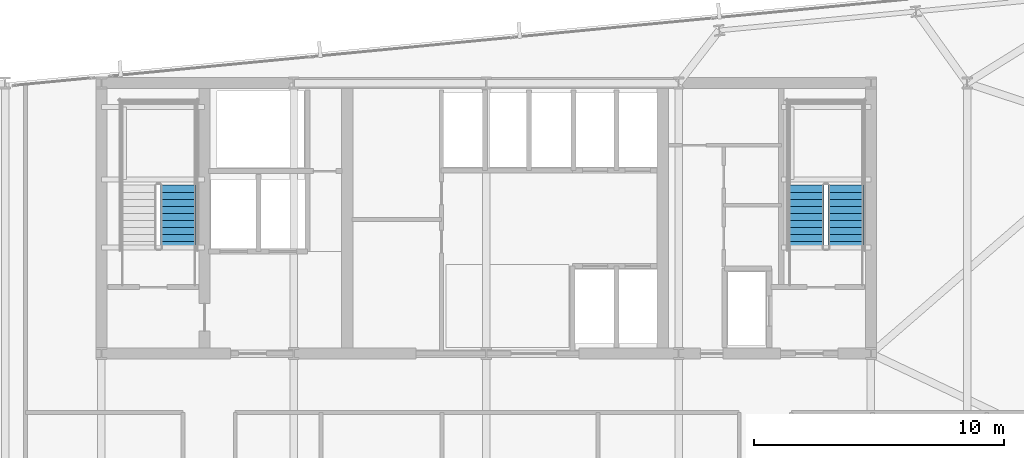
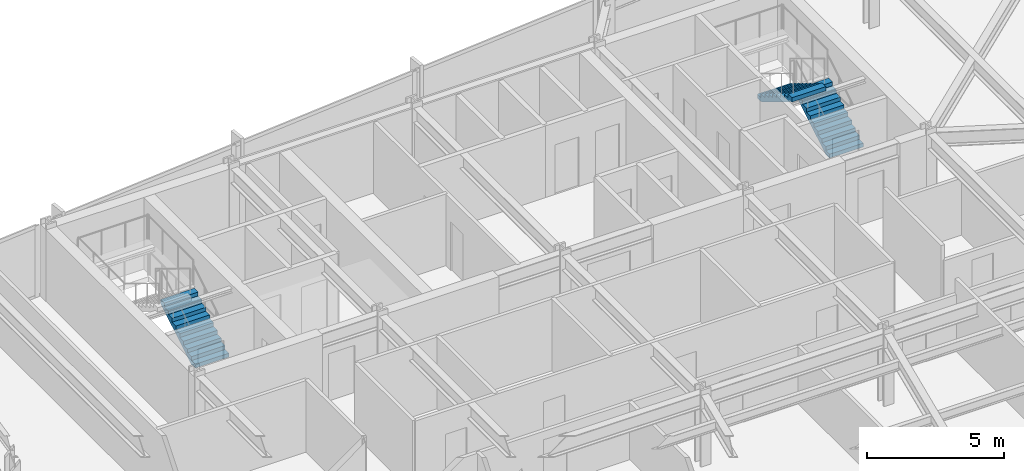
# One storey, part 27 of 33: 3 stair flights, 2 elements without a shape of their own.
"""IFC4 building model written with IfcOpenShell, lengths in metres."""

from ifc_helpers import new_model, si_unit, direction, frame, origin, place, context, subcontext, project, spatial, polyline, outline, extrude, material, type_object, element, aggregate, save


model = new_model("IFC4")

# Units and contexts
model_context = context("Model", 3, precision=1e-05, world=origin(), true_north=direction((0.0, 1.0)))
body_context = subcontext(model_context, "Body", "Model", "MODEL_VIEW")
ifc_project = project(units=[si_unit("LENGTHUNIT", "METRE"), si_unit("AREAUNIT", "SQUARE_METRE"), si_unit("VOLUMEUNIT", "CUBIC_METRE"), si_unit("PLANEANGLEUNIT", "RADIAN"), si_unit("MASSUNIT", "GRAM", prefix="KILO")], contexts=[model_context])

# Site, building, storey
site_placement = place(None, origin())
site = spatial("IfcSite", under=ifc_project, at=site_placement, CompositionType="ELEMENT")
building_placement = place(site_placement, origin())
building = spatial("IfcBuilding", under=site, at=building_placement, Name="Yelkora Congress Tower", CompositionType="ELEMENT")
storey_placement = place(building_placement, frame((0.0, 0.0, 106.699951171875)))
storey = spatial("IfcBuildingStorey", under=building, at=storey_placement, Name="L28", CompositionType="ELEMENT", Elevation=106.699951171875)

# Stair, stair flight
ifc_material = material(Name="Concrete C40/50", Category="concrete")
stair_type = type_object("IfcStairType", Name="STAIR-HT-1420-R20-170", PredefinedType="HALF_TURN_STAIR", material=ifc_material)
stair_1_placement = place(storey_placement, origin())
stair_1 = element("IfcStair", 1, at=stair_1_placement, inside=storey, type_object=stair_type, Name="West Core Protected Exit Stair ST-01 (L28)", PredefinedType="HALF_TURN_STAIR")
stair_flight_type = type_object("IfcStairFlightType", Name="FLIGHT-1420-N10-R170-G280", PredefinedType="STRAIGHT", material=ifc_material)
stair_flight_1_placement = place(storey_placement, frame((26.110107421875, 39.60009765625, 0.0), z_axis=(0.0, 0.0, 1.0), x_axis=(0.0, 1.0, 0.0)))
stair_flight_1 = element("IfcStairFlight", 2, at=stair_flight_1_placement, type_object=stair_flight_type, Name="ST-01 L28 Flight 1", NumberOfRisers=10, NumberOfTreads=9, PredefinedType="STRAIGHT", RiserHeight=0.17, TreadLength=0.28, context=body_context, shape_type="SweptSolid", body=[
    extrude(outline(polyline([(0.0, 0.0), (0.0, 0.169921875), (0.280029296875, 0.169921875), (0.280029296875, 0.340087890625), (0.56005859375, 0.340087890625), (0.56005859375, 0.510009765625), (0.840087890625, 0.510009765625), (0.840087890625, 0.679931640625), (1.1201171875, 0.679931640625), (1.1201171875, 0.85009765625), (1.39990234375, 0.85009765625), (1.39990234375, 1.02001953125), (1.679931640625, 1.02001953125), (1.679931640625, 1.18994140625), (1.9599609375, 1.18994140625), (1.9599609375, 1.360107421875), (2.239990234375, 1.360107421875), (2.239990234375, 1.530029296875), (2.52001953125, 1.530029296875), (2.52001953125, 1.699951171875), (2.52001953125, 1.343017578125), (0.30810546875, 0.0), (0.0, 0.0)])), frame((0.0, 0.7099609375, 0.0), z_axis=(0.0, -1.0, 0.0), x_axis=(1.0, 0.0, 0.0)), (0.0, 0.0, 1.0), 1.419921875),
])
aggregate(stair_1, [stair_flight_1])

# Stair, stair flights
stair_2_placement = place(storey_placement, origin())
stair_2 = element("IfcStair", 3, at=stair_2_placement, inside=storey, type_object=stair_type, Name="East Core Protected Exit Stair ST-02 (L28)", PredefinedType="HALF_TURN_STAIR")
stair_flight_2_placement = place(storey_placement, frame((52.75, 39.60009765625, 0.0), z_axis=(0.0, 0.0, 1.0), x_axis=(0.0, 1.0, 0.0)))
stair_flight_2 = element("IfcStairFlight", 4, at=stair_flight_2_placement, type_object=stair_flight_type, Name="ST-02 L28 Flight 1", NumberOfRisers=10, NumberOfTreads=9, PredefinedType="STRAIGHT", RiserHeight=0.17, TreadLength=0.28, context=body_context, shape_type="SweptSolid", body=[
    extrude(outline(polyline([(0.0, 0.0), (0.0, 0.169921875), (0.280029296875, 0.169921875), (0.280029296875, 0.340087890625), (0.56005859375, 0.340087890625), (0.56005859375, 0.510009765625), (0.840087890625, 0.510009765625), (0.840087890625, 0.679931640625), (1.1201171875, 0.679931640625), (1.1201171875, 0.85009765625), (1.39990234375, 0.85009765625), (1.39990234375, 1.02001953125), (1.679931640625, 1.02001953125), (1.679931640625, 1.18994140625), (1.9599609375, 1.18994140625), (1.9599609375, 1.360107421875), (2.239990234375, 1.360107421875), (2.239990234375, 1.530029296875), (2.52001953125, 1.530029296875), (2.52001953125, 1.699951171875), (2.52001953125, 1.343017578125), (0.30810546875, 0.0), (0.0, 0.0)])), frame((0.0, 0.7099609375, 0.0), z_axis=(0.0, -1.0, 0.0), x_axis=(1.0, 0.0, 0.0)), (0.0, 0.0, 1.0), 1.419921875),
])
stair_flight_3_placement = place(storey_placement, frame((51.169921875, 42.1201171875, 1.699951171875), z_axis=(0.0, 0.0, 1.0), x_axis=(0.0, -1.0, 0.0)))
stair_flight_3 = element("IfcStairFlight", 5, at=stair_flight_3_placement, type_object=stair_flight_type, Name="ST-02 L28 Flight 2", NumberOfRisers=10, NumberOfTreads=9, PredefinedType="STRAIGHT", RiserHeight=0.17, TreadLength=0.28, context=body_context, shape_type="SweptSolid", body=[
    extrude(outline(polyline([(0.0, 0.0), (0.0, 0.169921875), (0.280029296875, 0.169921875), (0.280029296875, 0.340087890625), (0.56005859375, 0.340087890625), (0.56005859375, 0.510009765625), (0.840087890625, 0.510009765625), (0.840087890625, 0.679931640625), (1.1201171875, 0.679931640625), (1.1201171875, 0.85009765625), (1.39990234375, 0.85009765625), (1.39990234375, 1.02001953125), (1.679931640625, 1.02001953125), (1.679931640625, 1.18994140625), (1.9599609375, 1.18994140625), (1.9599609375, 1.360107421875), (2.239990234375, 1.360107421875), (2.239990234375, 1.530029296875), (2.52001953125, 1.530029296875), (2.52001953125, 1.699951171875), (2.52001953125, 1.343017578125), (0.30810546875, 0.0), (0.0, 0.0)])), frame((0.0, 0.7099609375, 0.0), z_axis=(0.0, -1.0, 0.0), x_axis=(1.0, 0.0, 0.0)), (0.0, 0.0, 1.0), 1.419921875),
])
aggregate(stair_2, [stair_flight_2, stair_flight_3])

save(model, "model.ifc")
